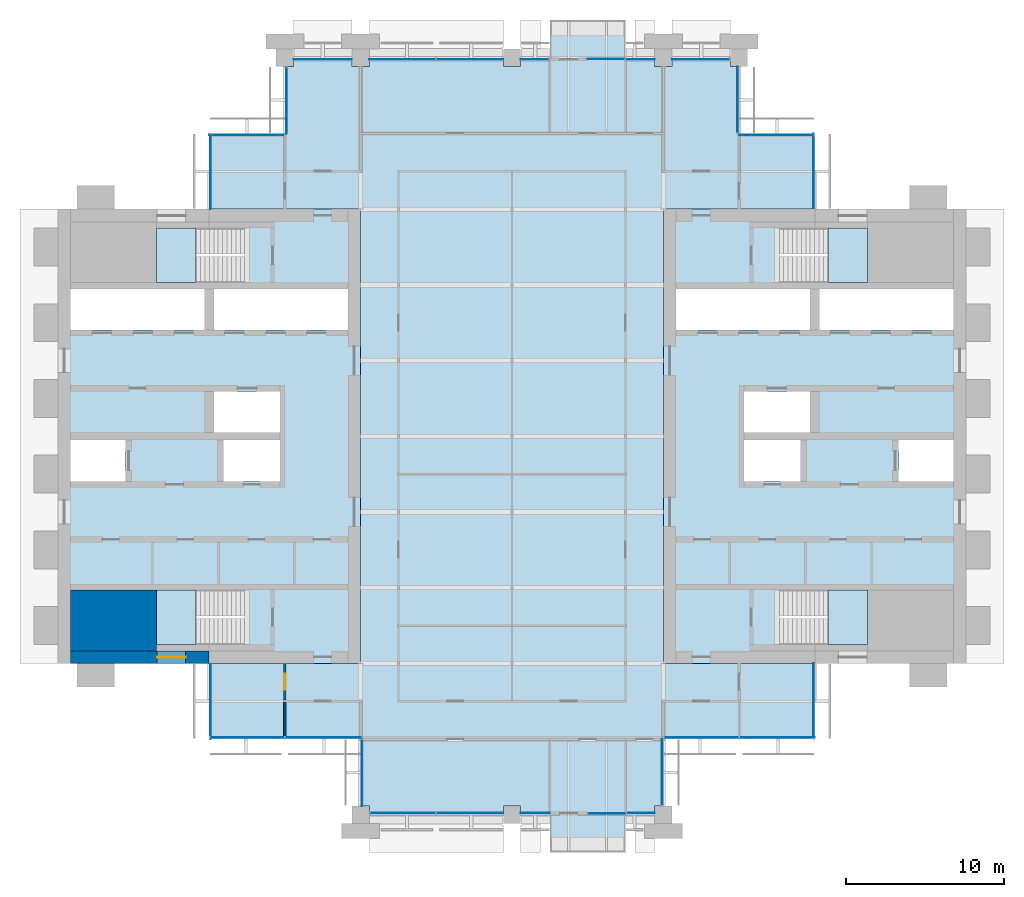
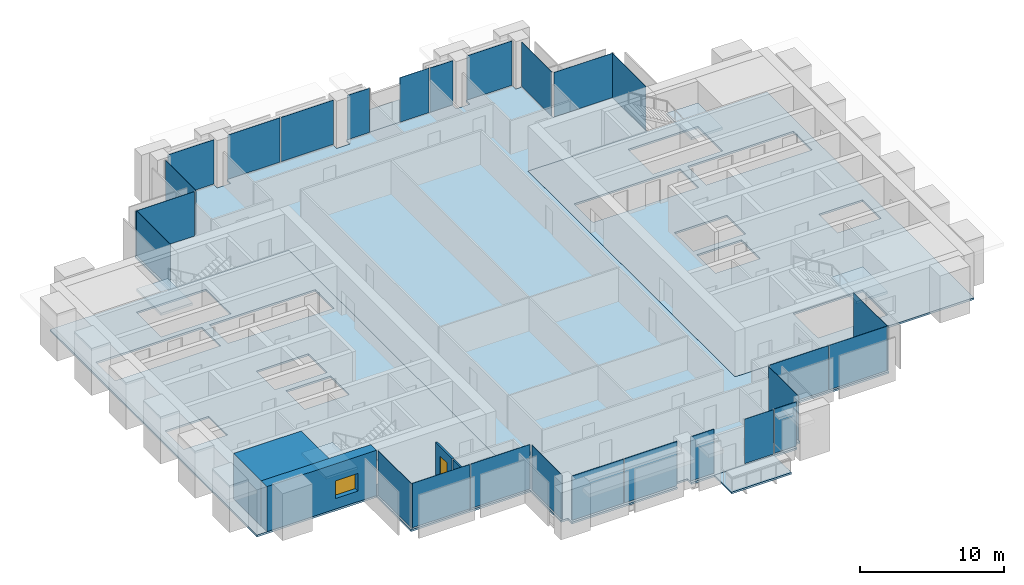
# One storey, part 7 of 14: 26 plates, 9 slabs, 4 walls, 1 door, 1 window, 2 openings, 22 elements without a shape of their own.
"""IFC4 building model written with IfcOpenShell, lengths in metres."""

import ifcopenshell
import ifcopenshell.guid

model = None  # the IFC model being written
_history = None  # IfcOwnerHistory: only IFC2X3 demands one
_inside = {}  # id of a spatial element -> (the spatial element, [elements in it])
_under = {}  # id of a project, library or spatial element -> (it, [spatial elements below it])
_declared = {}  # id of a project -> (the project, [libraries it declares])
_typed = {}  # id of a type object -> (the type object, [elements of that type])
_made_of = {}  # id of a material, layer set ... -> (it, [elements and type objects made of it])


def new_model(schema):
    """Start an empty IFC model of exactly this schema.

    Asked for "IFC4X3", IfcOpenShell would pick the latest addendum, in which some entities
    have other attributes; the version numbers below select the first issue.
    IFC2X3 requires an IfcOwnerHistory on every rooted entity: one is made here for all.
    """
    global model, _history
    if schema == "IFC4X3":
        model = ifcopenshell.file(schema_version=(4, 3, 0, 0))
    else:
        model = ifcopenshell.file(schema=schema)
    _inside.clear()
    _under.clear()
    _declared.clear()
    _typed.clear()
    _made_of.clear()
    _history = None
    if model.schema == "IFC2X3":
        org = make("IfcOrganization", Name="unknown")
        user = make(
            "IfcPersonAndOrganization",
            ThePerson=make("IfcPerson", FamilyName="unknown"),
            TheOrganization=org,
        )
        app = make(
            "IfcApplication",
            ApplicationDeveloper=org,
            Version="unknown",
            ApplicationFullName="unknown",
            ApplicationIdentifier="unknown",
        )
        _history = make(
            "IfcOwnerHistory",
            OwningUser=user,
            OwningApplication=app,
            ChangeAction="ADDED",
            CreationDate=0,
        )
    return model


def make(cls, **values):
    """One entity of the class cls with the attributes given. An attribute that is None is left unset."""
    return model.create_entity(
        cls, **{name: value for name, value in values.items() if value is not None}
    )


def rooted(cls, **values):
    """An entity with a GlobalId (a new one), such as an element, a storey or a relation."""
    return make(cls, GlobalId=ifcopenshell.guid.new(), OwnerHistory=_history, **values)


def si_unit(unit_type, name, prefix=None):
    """IfcSIUnit, for example si_unit("LENGTHUNIT", "METRE", prefix="MILLI")."""
    return make("IfcSIUnit", UnitType=unit_type, Prefix=prefix, Name=name)


def assignment(units):
    """IfcUnitAssignment: the units of a project."""
    return None if units is None else make("IfcUnitAssignment", Units=units)


def point(xyz):
    """IfcCartesianPoint."""
    return None if xyz is None else make("IfcCartesianPoint", Coordinates=xyz)


def direction(xyz):
    """IfcDirection."""
    return None if xyz is None else make("IfcDirection", DirectionRatios=xyz)


def frame(location, z_axis=None, x_axis=None):
    """IfcAxis2Placement3D, a coordinate frame: its origin and axes. An axis left out is left unset."""
    return make(
        "IfcAxis2Placement3D",
        Location=point(location),
        Axis=direction(z_axis),
        RefDirection=direction(x_axis),
    )


def frame_2d(location, x_axis=None):
    """IfcAxis2Placement2D, a coordinate frame in the plane: its origin and x axis."""
    return make(
        "IfcAxis2Placement2D", Location=point(location), RefDirection=direction(x_axis)
    )


def origin():
    """The frame at (0, 0, 0) with its axes left unset."""
    return frame((0.0, 0.0, 0.0))


def origin_2d():
    """The frame at (0, 0) in the plane with its x axis left unset."""
    return frame_2d((0.0, 0.0))


def place(relative_to, where):
    """IfcLocalPlacement: puts the frame where relative to a parent placement (None: the world)."""
    return make(
        "IfcLocalPlacement", PlacementRelTo=relative_to, RelativePlacement=where
    )


def context(
    kind, dimensions, precision=None, world=None, true_north=None, identifier=None
):
    """IfcGeometricRepresentationContext, for example the 3D "Model" context."""
    return make(
        "IfcGeometricRepresentationContext",
        ContextIdentifier=identifier,
        ContextType=kind,
        CoordinateSpaceDimension=dimensions,
        Precision=precision,
        WorldCoordinateSystem=world,
        TrueNorth=true_north,
    )


def subcontext(parent, identifier, kind, view, scale=None):
    """IfcGeometricRepresentationSubContext, for example "Body" below "Model"."""
    return make(
        "IfcGeometricRepresentationSubContext",
        ContextIdentifier=identifier,
        ContextType=kind,
        ParentContext=parent,
        TargetScale=scale,
        TargetView=view,
    )


def project(units=None, contexts=None):
    """IfcProject with its units and contexts."""
    return rooted(
        "IfcProject",
        Name="project",
        RepresentationContexts=contexts,
        UnitsInContext=assignment(units),
    )


def spatial(cls, under=None, at=None, **own):
    """A site, building, storey or space (cls), placed at a placement, below another one or the project."""
    s = rooted(cls, ObjectPlacement=at, **own)
    if under is not None:
        _under.setdefault(under.id(), (under, []))[1].append(s)
    return s


def polyline(points):
    """IfcPolyline through the points."""
    return make("IfcPolyline", Points=[point(p) for p in points])


def profile(cls, at=None, kind="AREA", **sizes):
    """A parametric profile (cls). Its sizes go by their IFC names, for example OverallWidth=200.0."""
    return make(cls, ProfileType=kind, Position=at, **sizes)


def rectangle(**sizes):
    """IfcRectangleProfileDef."""
    return profile("IfcRectangleProfileDef", **sizes)


def outline(outer, holes=None, kind="AREA"):
    """IfcArbitraryClosedProfileDef: a profile drawn as a closed curve; with holes, ...WithVoids."""
    if holes is None:
        return make("IfcArbitraryClosedProfileDef", ProfileType=kind, OuterCurve=outer)
    return make(
        "IfcArbitraryProfileDefWithVoids",
        ProfileType=kind,
        OuterCurve=outer,
        InnerCurves=holes,
    )


def extrude(swept, where, along, depth):
    """IfcExtrudedAreaSolid: the profile swept, set in the frame where, extruded along a direction by depth."""
    return make(
        "IfcExtrudedAreaSolid",
        SweptArea=swept,
        Position=where,
        ExtrudedDirection=direction(along),
        Depth=depth,
    )


def shape(context_of_items, identifier, shape_type, items):
    """IfcShapeRepresentation: the items that make up one representation, for example the "Body"."""
    return make(
        "IfcShapeRepresentation",
        ContextOfItems=context_of_items,
        RepresentationIdentifier=identifier,
        RepresentationType=shape_type,
        Items=items,
    )


def material(Name=None, Category=None):
    """IfcMaterial."""
    return make("IfcMaterial", Name=Name, Category=Category)


def layer(
    of_material, thickness, ventilated=None, Name=None, Category=None, Priority=None
):
    """IfcMaterialLayer: one layer of a wall or slab, of a material (None: an air gap)."""
    return make(
        "IfcMaterialLayer",
        Material=of_material,
        LayerThickness=thickness,
        IsVentilated=ventilated,
        Name=Name,
        Category=Category,
        Priority=Priority,
    )


def layer_set(layers, Name=None):
    """IfcMaterialLayerSet."""
    return make("IfcMaterialLayerSet", MaterialLayers=layers, LayerSetName=Name)


def made_of(thing, what):
    """Note that an element or type object is made of a material, layer set ...; save() writes the relation."""
    if what is not None:
        _made_of.setdefault(what.id(), (what, []))[1].append(thing)
    return thing


def type_object(cls, material=None, **own):
    """A type object (cls), such as IfcWallType, which elements share."""
    return made_of(rooted(cls, **own), material)


def element(
    cls,
    number,
    at=None,
    inside=None,
    cuts=None,
    type_object=None,
    material=None,
    context=None,
    identifier="Body",
    shape_type=None,
    held_by="IfcProductDefinitionShape",
    body=None,
    shapes=None,
    **own,
):
    """One element of the class cls, such as IfcWall. Its Tag is "e" and its number.

    at: its placement. inside: the storey or other place that contains it. cuts: it is an
    opening in that element (IfcRelVoidsElement). A single representation is given by context,
    identifier, shape_type and body (its items); several are given by shapes. held_by: the class
    of the entity that holds the representations. save() writes the other relations.
    """
    e = rooted(cls, Tag="e%d" % number, ObjectPlacement=at, **own)
    if body is not None:
        shapes = [shape(context, identifier, shape_type, body)]
    if shapes is not None:
        e.Representation = make(held_by, Representations=shapes)
    if inside is not None:
        _inside.setdefault(inside.id(), (inside, []))[1].append(e)
    if cuts is not None:
        rooted(
            "IfcRelVoidsElement", RelatingBuildingElement=cuts, RelatedOpeningElement=e
        )
    if type_object is not None:
        _typed.setdefault(type_object.id(), (type_object, []))[1].append(e)
    return made_of(e, material)


def fill(opening, filler):
    """IfcRelFillsElement: the door or window that sits in an opening."""
    return rooted(
        "IfcRelFillsElement",
        RelatingOpeningElement=opening,
        RelatedBuildingElement=filler,
    )


def aggregate(whole, parts):
    """IfcRelAggregates: a whole, such as a stair, and the parts it consists of."""
    return rooted("IfcRelAggregates", RelatingObject=whole, RelatedObjects=parts)


def save(model, path):
    """Write the relations noted so far, then the file.

    IfcRelAggregates (storeys below a building ...), IfcRelContainedInSpatialStructure (elements
    in a storey), IfcRelDefinesByType, IfcRelAssociatesMaterial and IfcRelDeclares: one each for
    every whole, place, type object, material and project.
    """
    for whole, parts in _under.values():
        aggregate(whole, parts)
    for where, things in _inside.values():
        rooted(
            "IfcRelContainedInSpatialStructure",
            RelatedElements=things,
            RelatingStructure=where,
        )
    for kind, things in _typed.values():
        rooted("IfcRelDefinesByType", RelatedObjects=things, RelatingType=kind)
    for what, things in _made_of.values():
        rooted("IfcRelAssociatesMaterial", RelatedObjects=things, RelatingMaterial=what)
    for by, libraries in _declared.values():
        rooted("IfcRelDeclares", RelatingContext=by, RelatedDefinitions=libraries)
    model.write(path)


model = new_model("IFC4")

# Units and contexts
model_context = context("Model", 3, precision=1e-05, world=origin(), true_north=direction((0.0, 1.0)))
body_context = subcontext(model_context, "Body", "Model", "MODEL_VIEW")
ifc_project = project(units=[si_unit("LENGTHUNIT", "METRE"), si_unit("AREAUNIT", "SQUARE_METRE"), si_unit("VOLUMEUNIT", "CUBIC_METRE"), si_unit("PLANEANGLEUNIT", "RADIAN"), si_unit("MASSUNIT", "GRAM", prefix="KILO")], contexts=[model_context])

# Site, building, storey
site_placement = place(None, origin())
site = spatial("IfcSite", under=ifc_project, at=site_placement, CompositionType="ELEMENT")
building_placement = place(site_placement, origin())
building = spatial("IfcBuilding", under=site, at=building_placement, Name="Baori Bourse Tower", CompositionType="ELEMENT")
storey_placement = place(building_placement, frame((0.0, 0.0, 197.199951171875)))
storey = spatial("IfcBuildingStorey", under=building, at=storey_placement, Name="L42", CompositionType="ELEMENT", Elevation=197.199951171875)

# Slabs
ifc_material_1 = material(Name="Concrete f'c 40 MPa", Category="concrete")
ifc_layer_1 = layer(ifc_material_1, 0.159912109375)
ifc_layer_set_1 = layer_set([ifc_layer_1], Name="BL2 Balcony slab 160")
slab_type_1 = type_object("IfcSlabType", Name="BL2 Balcony slab 160", PredefinedType="FLOOR", material=ifc_layer_set_1)
slab_1_placement = place(storey_placement, frame((0.0, 0.0, -0.159912109375)))
element("IfcSlab", 1, at=slab_1_placement, inside=storey, type_object=slab_type_1, Name="Balcony slab L42 S", PredefinedType="FLOOR", context=body_context, shape_type="SweptSolid", body=[
    extrude(outline(polyline([(31.199951171875, 0.0), (31.199951171875, -2.39990234375), (36.0, -2.39990234375), (36.0, 0.0), (31.199951171875, 0.0)])), origin(), (0.0, 0.0, 1.0), 0.159912109375),
])
slab_2_placement = place(storey_placement, frame((0.0, 0.0, -0.159912109375)))
element("IfcSlab", 2, at=slab_2_placement, inside=storey, type_object=slab_type_1, Name="Balcony slab L42 N", PredefinedType="FLOOR", context=body_context, shape_type="SweptSolid", body=[
    extrude(outline(polyline([(31.199951171875, 48.0), (36.0, 48.0), (36.0, 50.39990234375), (31.199951171875, 50.39990234375), (31.199951171875, 48.0)])), origin(), (0.0, 0.0, 1.0), 0.159912109375),
])

# Curtain wall, plate
ifc_material_2 = material(Name="Pale anodised aluminium", Category="aluminium")
curtain_wall_type_1 = type_object("IfcCurtainWallType", Name="CW2 Curtain wall", PredefinedType="NOTDEFINED", material=ifc_material_2)
curtain_wall_1_placement = place(storey_placement, origin())
curtain_wall_1 = element("IfcCurtainWall", 3, at=curtain_wall_1_placement, inside=storey, type_object=curtain_wall_type_1, Name="Curtain wall CW2 L42 1", PredefinedType="NOTDEFINED")
ifc_material_3 = material(Name="Clear glass", Category="glass")
ifc_layer_2 = layer(ifc_material_3, 0.030029296875)
ifc_layer_set_2 = layer_set([ifc_layer_2], Name="CW2 Curtain wall panel")
plate_type_1 = type_object("IfcPlateType", Name="CW2 Curtain wall panel", PredefinedType="CURTAIN_PANEL", material=ifc_layer_set_2)
plate_1_placement = place(storey_placement, frame((47.909912109375, 40.827392578125, 0.070068359375), z_axis=(0.0, 0.0, 1.0), x_axis=(0.0, 1.0, 0.0)))
plate_1 = element("IfcPlate", 4, at=plate_1_placement, type_object=plate_type_1, Name="Curtain wall CW2 panel", PredefinedType="CURTAIN_PANEL", context=body_context, shape_type="SweptSolid", body=[
    extrude(rectangle(XDim=4.7451171875, YDim=0.030029296875, at=origin_2d()), origin(), (0.0, 0.0, 1.0), 3.77001953125),
])
aggregate(curtain_wall_1, [plate_1])

curtain_wall_2_placement = place(storey_placement, origin())
curtain_wall_2 = element("IfcCurtainWall", 5, at=curtain_wall_2_placement, inside=storey, type_object=curtain_wall_type_1, Name="Curtain wall CW2 L42 2", PredefinedType="NOTDEFINED")
plate_2_placement = place(storey_placement, frame((45.572509765625, 43.110107421875, 0.070068359375), z_axis=(0.0, 0.0, 1.0), x_axis=(-1.0, 0.0, 0.0)))
plate_2 = element("IfcPlate", 6, at=plate_2_placement, type_object=plate_type_1, Name="Curtain wall CW2 panel", PredefinedType="CURTAIN_PANEL", context=body_context, shape_type="SweptSolid", body=[
    extrude(rectangle(XDim=4.7451171875, YDim=0.030029296875, at=origin_2d()), origin(), (0.0, 0.0, 1.0), 3.77001953125),
])
aggregate(curtain_wall_2, [plate_2])

curtain_wall_3_placement = place(storey_placement, origin())
curtain_wall_3 = element("IfcCurtainWall", 7, at=curtain_wall_3_placement, inside=storey, type_object=curtain_wall_type_1, Name="Curtain wall CW2 L42 3", PredefinedType="NOTDEFINED")
plate_3_placement = place(storey_placement, frame((43.110107421875, 45.3525390625, 0.070068359375), z_axis=(0.0, 0.0, 1.0), x_axis=(0.0, 1.0, 0.0)))
plate_3 = element("IfcPlate", 8, at=plate_3_placement, type_object=plate_type_1, Name="Curtain wall CW2 panel", PredefinedType="CURTAIN_PANEL", context=body_context, shape_type="SweptSolid", body=[
    extrude(rectangle(XDim=4.195068359375, YDim=0.030029296875, at=origin_2d()), origin(), (0.0, 0.0, 1.0), 3.77001953125),
])
aggregate(curtain_wall_3, [plate_3])

curtain_wall_4_placement = place(storey_placement, origin())
curtain_wall_4 = element("IfcCurtainWall", 9, at=curtain_wall_4_placement, inside=storey, type_object=curtain_wall_type_1, Name="Curtain wall CW2 L42 7", PredefinedType="NOTDEFINED")
plate_4_placement = place(storey_placement, frame((14.489990234375, 45.297607421875, 0.070068359375), z_axis=(0.0, 0.0, 1.0), x_axis=(0.0, -1.0, 0.0)))
plate_4 = element("IfcPlate", 10, at=plate_4_placement, type_object=plate_type_1, Name="Curtain wall CW2 panel", PredefinedType="CURTAIN_PANEL", context=body_context, shape_type="SweptSolid", body=[
    extrude(rectangle(XDim=4.195068359375, YDim=0.030029296875, at=origin_2d()), origin(), (0.0, 0.0, 1.0), 3.77001953125),
])
aggregate(curtain_wall_4, [plate_4])

curtain_wall_5_placement = place(storey_placement, origin())
curtain_wall_5 = element("IfcCurtainWall", 11, at=curtain_wall_5_placement, inside=storey, type_object=curtain_wall_type_1, Name="Curtain wall CW2 L42 8", PredefinedType="NOTDEFINED")
plate_5_placement = place(storey_placement, frame((11.972412109375, 43.110107421875, 0.070068359375), z_axis=(0.0, 0.0, 1.0), x_axis=(-1.0, 0.0, 0.0)))
plate_5 = element("IfcPlate", 12, at=plate_5_placement, type_object=plate_type_1, Name="Curtain wall CW2 panel", PredefinedType="CURTAIN_PANEL", context=body_context, shape_type="SweptSolid", body=[
    extrude(rectangle(XDim=4.7451171875, YDim=0.030029296875, at=origin_2d()), origin(), (0.0, 0.0, 1.0), 3.77001953125),
])
aggregate(curtain_wall_5, [plate_5])

curtain_wall_6_placement = place(storey_placement, origin())
curtain_wall_6 = element("IfcCurtainWall", 13, at=curtain_wall_6_placement, inside=storey, type_object=curtain_wall_type_1, Name="Curtain wall CW2 L42 9", PredefinedType="NOTDEFINED")
plate_6_placement = place(storey_placement, frame((9.68994140625, 40.7724609375, 0.070068359375), z_axis=(0.0, 0.0, 1.0), x_axis=(0.0, -1.0, 0.0)))
plate_6 = element("IfcPlate", 14, at=plate_6_placement, type_object=plate_type_1, Name="Curtain wall CW2 panel", PredefinedType="CURTAIN_PANEL", context=body_context, shape_type="SweptSolid", body=[
    extrude(rectangle(XDim=4.7451171875, YDim=0.030029296875, at=origin_2d()), origin(), (0.0, 0.0, 1.0), 3.77001953125),
])
aggregate(curtain_wall_6, [plate_6])

curtain_wall_7_placement = place(storey_placement, origin())
curtain_wall_7 = element("IfcCurtainWall", 15, at=curtain_wall_7_placement, inside=storey, type_object=curtain_wall_type_1, Name="Curtain wall CW2 L42 10", PredefinedType="NOTDEFINED")
plate_7_placement = place(storey_placement, frame((9.68994140625, 7.172607421875, 0.070068359375), z_axis=(0.0, 0.0, 1.0), x_axis=(0.0, -1.0, 0.0)))
plate_7 = element("IfcPlate", 16, at=plate_7_placement, type_object=plate_type_1, Name="Curtain wall CW2 panel", PredefinedType="CURTAIN_PANEL", context=body_context, shape_type="SweptSolid", body=[
    extrude(rectangle(XDim=4.7451171875, YDim=0.030029296875, at=origin_2d()), origin(), (0.0, 0.0, 1.0), 3.77001953125),
])
aggregate(curtain_wall_7, [plate_7])

# Curtain wall, plates
curtain_wall_8_placement = place(storey_placement, origin())
curtain_wall_8 = element("IfcCurtainWall", 17, at=curtain_wall_8_placement, inside=storey, type_object=curtain_wall_type_1, Name="Curtain wall CW2 L42 11", PredefinedType="NOTDEFINED")
plate_8_placement = place(storey_placement, frame((12.013671875, 4.889892578125, 0.070068359375), z_axis=(0.0, 0.0, 1.0), x_axis=(1.0, 0.0, 0.0)))
plate_8 = element("IfcPlate", 18, at=plate_8_placement, type_object=plate_type_1, Name="Curtain wall CW2 panel", PredefinedType="CURTAIN_PANEL", context=body_context, shape_type="SweptSolid", body=[
    extrude(rectangle(XDim=4.717529296875, YDim=0.030029296875, at=origin_2d()), origin(), (0.0, 0.0, 1.0), 3.77001953125),
])
plate_9_placement = place(storey_placement, frame((16.813720703125, 4.889892578125, 0.070068359375), z_axis=(0.0, 0.0, 1.0), x_axis=(1.0, 0.0, 0.0)))
plate_9 = element("IfcPlate", 19, at=plate_9_placement, type_object=plate_type_1, Name="Curtain wall CW2 panel", PredefinedType="CURTAIN_PANEL", context=body_context, shape_type="SweptSolid", body=[
    extrude(rectangle(XDim=4.7724609375, YDim=0.030029296875, at=origin_2d()), origin(), (0.0, 0.0, 1.0), 3.77001953125),
])
aggregate(curtain_wall_8, [plate_8, plate_9])

# Curtain wall, plate
curtain_wall_9_placement = place(storey_placement, origin())
curtain_wall_9 = element("IfcCurtainWall", 20, at=curtain_wall_9_placement, inside=storey, type_object=curtain_wall_type_1, Name="Curtain wall CW2 L42 12", PredefinedType="NOTDEFINED")
plate_10_placement = place(storey_placement, frame((19.2900390625, 2.6474609375, 0.070068359375), z_axis=(0.0, 0.0, 1.0), x_axis=(0.0, -1.0, 0.0)))
plate_10 = element("IfcPlate", 21, at=plate_10_placement, type_object=plate_type_1, Name="Curtain wall CW2 panel", PredefinedType="CURTAIN_PANEL", context=body_context, shape_type="SweptSolid", body=[
    extrude(rectangle(XDim=4.195068359375, YDim=0.030029296875, at=origin_2d()), origin(), (0.0, 0.0, 1.0), 3.77001953125),
])
aggregate(curtain_wall_9, [plate_10])

curtain_wall_10_placement = place(storey_placement, origin())
curtain_wall_10 = element("IfcCurtainWall", 22, at=curtain_wall_10_placement, inside=storey, type_object=curtain_wall_type_1, Name="Curtain wall CW2 L42 16", PredefinedType="NOTDEFINED")
plate_11_placement = place(storey_placement, frame((38.31005859375, 2.702392578125, 0.070068359375), z_axis=(0.0, 0.0, 1.0), x_axis=(0.0, 1.0, 0.0)))
plate_11 = element("IfcPlate", 23, at=plate_11_placement, type_object=plate_type_1, Name="Curtain wall CW2 panel", PredefinedType="CURTAIN_PANEL", context=body_context, shape_type="SweptSolid", body=[
    extrude(rectangle(XDim=4.195068359375, YDim=0.030029296875, at=origin_2d()), origin(), (0.0, 0.0, 1.0), 3.77001953125),
])
aggregate(curtain_wall_10, [plate_11])

# Curtain wall, plates
curtain_wall_11_placement = place(storey_placement, origin())
curtain_wall_11 = element("IfcCurtainWall", 24, at=curtain_wall_11_placement, inside=storey, type_object=curtain_wall_type_1, Name="Curtain wall CW2 L42 17", PredefinedType="NOTDEFINED")
plate_12_placement = place(storey_placement, frame((40.813720703125, 4.889892578125, 0.070068359375), z_axis=(0.0, 0.0, 1.0), x_axis=(1.0, 0.0, 0.0)))
plate_12 = element("IfcPlate", 25, at=plate_12_placement, type_object=plate_type_1, Name="Curtain wall CW2 panel", PredefinedType="CURTAIN_PANEL", context=body_context, shape_type="SweptSolid", body=[
    extrude(rectangle(XDim=4.717529296875, YDim=0.030029296875, at=origin_2d()), origin(), (0.0, 0.0, 1.0), 3.77001953125),
])
plate_13_placement = place(storey_placement, frame((45.61376953125, 4.889892578125, 0.070068359375), z_axis=(0.0, 0.0, 1.0), x_axis=(1.0, 0.0, 0.0)))
plate_13 = element("IfcPlate", 26, at=plate_13_placement, type_object=plate_type_1, Name="Curtain wall CW2 panel", PredefinedType="CURTAIN_PANEL", context=body_context, shape_type="SweptSolid", body=[
    extrude(rectangle(XDim=4.7724609375, YDim=0.030029296875, at=origin_2d()), origin(), (0.0, 0.0, 1.0), 3.77001953125),
])
aggregate(curtain_wall_11, [plate_12, plate_13])

# Curtain wall, plate
curtain_wall_12_placement = place(storey_placement, origin())
curtain_wall_12 = element("IfcCurtainWall", 27, at=curtain_wall_12_placement, inside=storey, type_object=curtain_wall_type_1, Name="Curtain wall CW2 L42 18", PredefinedType="NOTDEFINED")
plate_14_placement = place(storey_placement, frame((47.909912109375, 7.2275390625, 0.070068359375), z_axis=(0.0, 0.0, 1.0), x_axis=(0.0, 1.0, 0.0)))
plate_14 = element("IfcPlate", 28, at=plate_14_placement, type_object=plate_type_1, Name="Curtain wall CW2 panel", PredefinedType="CURTAIN_PANEL", context=body_context, shape_type="SweptSolid", body=[
    extrude(rectangle(XDim=4.7451171875, YDim=0.030029296875, at=origin_2d()), origin(), (0.0, 0.0, 1.0), 3.77001953125),
])
aggregate(curtain_wall_12, [plate_14])

# Curtain wall, plates
ifc_material_4 = material(Name="Pale anodised aluminium", Category="aluminium")
curtain_wall_type_2 = type_object("IfcCurtainWallType", Name="CW5 Curtain wall", PredefinedType="NOTDEFINED", material=ifc_material_4)
curtain_wall_13_placement = place(storey_placement, origin())
curtain_wall_13 = element("IfcCurtainWall", 29, at=curtain_wall_13_placement, inside=storey, type_object=curtain_wall_type_2, Name="Curtain wall CW5 L42 4", PredefinedType="NOTDEFINED")
ifc_material_5 = material(Name="Clear glass", Category="glass")
ifc_layer_3 = layer(ifc_material_5, 0.035888671875)
ifc_layer_set_3 = layer_set([ifc_layer_3], Name="CW5 Curtain wall panel")
plate_type_2 = type_object("IfcPlateType", Name="CW5 Curtain wall panel", PredefinedType="CURTAIN_PANEL", material=ifc_layer_set_3)
plate_15_placement = place(storey_placement, frame((40.767578125, 47.889892578125, 0.085205078125), z_axis=(0.0, 0.0, 1.0), x_axis=(-1.0, 0.0, 0.0)))
plate_15 = element("IfcPlate", 30, at=plate_15_placement, type_object=plate_type_2, Name="Curtain wall CW5 panel", PredefinedType="CURTAIN_PANEL", context=body_context, shape_type="SweptSolid", body=[
    extrude(rectangle(XDim=3.635009765625, YDim=0.035888671875, at=origin_2d()), origin(), (0.0, 0.0, 1.0), 3.7548828125),
])
plate_16_placement = place(storey_placement, frame((36.925048828125, 47.889892578125, 0.085205078125), z_axis=(0.0, 0.0, 1.0), x_axis=(-1.0, 0.0, 0.0)))
plate_16 = element("IfcPlate", 31, at=plate_16_placement, type_object=plate_type_2, Name="Curtain wall CW5 panel", PredefinedType="CURTAIN_PANEL", context=body_context, shape_type="SweptSolid", body=[
    extrude(rectangle(XDim=1.85009765625, YDim=0.035888671875, at=origin_2d()), origin(), (0.0, 0.0, 1.0), 3.7548828125),
])
aggregate(curtain_wall_13, [plate_15, plate_16])

curtain_wall_14_placement = place(storey_placement, origin())
curtain_wall_14 = element("IfcCurtainWall", 32, at=curtain_wall_14_placement, inside=storey, type_object=curtain_wall_type_2, Name="Curtain wall CW5 L42 6", PredefinedType="NOTDEFINED")
plate_17_placement = place(storey_placement, frame((30.242431640625, 47.889892578125, 0.085205078125), z_axis=(0.0, 0.0, 1.0), x_axis=(-1.0, 0.0, 0.0)))
plate_17 = element("IfcPlate", 33, at=plate_17_placement, type_object=plate_type_2, Name="Curtain wall CW5 panel", PredefinedType="CURTAIN_PANEL", context=body_context, shape_type="SweptSolid", body=[
    extrude(rectangle(XDim=1.784912109375, YDim=0.035888671875, at=origin_2d()), origin(), (0.0, 0.0, 1.0), 3.7548828125),
])
plate_18_placement = place(storey_placement, frame((26.141357421875, 47.889892578125, 0.085205078125), z_axis=(0.0, 0.0, 1.0), x_axis=(-1.0, 0.0, 0.0)))
plate_18 = element("IfcPlate", 34, at=plate_18_placement, type_object=plate_type_2, Name="Curtain wall CW5 panel", PredefinedType="CURTAIN_PANEL", context=body_context, shape_type="SweptSolid", body=[
    extrude(rectangle(XDim=4.217529296875, YDim=0.035888671875, at=origin_2d()), origin(), (0.0, 0.0, 1.0), 3.7548828125),
])
plate_19_placement = place(storey_placement, frame((21.858642578125, 47.889892578125, 0.085205078125), z_axis=(0.0, 0.0, 1.0), x_axis=(-1.0, 0.0, 0.0)))
plate_19 = element("IfcPlate", 35, at=plate_19_placement, type_object=plate_type_2, Name="Curtain wall CW5 panel", PredefinedType="CURTAIN_PANEL", context=body_context, shape_type="SweptSolid", body=[
    extrude(rectangle(XDim=4.217529296875, YDim=0.035888671875, at=origin_2d()), origin(), (0.0, 0.0, 1.0), 3.7548828125),
])
plate_20_placement = place(storey_placement, frame((16.800048828125, 47.889892578125, 0.085205078125), z_axis=(0.0, 0.0, 1.0), x_axis=(-1.0, 0.0, 0.0)))
plate_20 = element("IfcPlate", 36, at=plate_20_placement, type_object=plate_type_2, Name="Curtain wall CW5 panel", PredefinedType="CURTAIN_PANEL", context=body_context, shape_type="SweptSolid", body=[
    extrude(rectangle(XDim=3.699951171875, YDim=0.035888671875, at=origin_2d()), origin(), (0.0, 0.0, 1.0), 3.7548828125),
])
aggregate(curtain_wall_14, [plate_17, plate_18, plate_19, plate_20])

curtain_wall_15_placement = place(storey_placement, origin())
curtain_wall_15 = element("IfcCurtainWall", 37, at=curtain_wall_15_placement, inside=storey, type_object=curtain_wall_type_2, Name="Curtain wall CW5 L42 13", PredefinedType="NOTDEFINED")
plate_21_placement = place(storey_placement, frame((21.891357421875, 0.110107421875, 0.085205078125), z_axis=(0.0, 0.0, 1.0), x_axis=(1.0, 0.0, 0.0)))
plate_21 = element("IfcPlate", 38, at=plate_21_placement, type_object=plate_type_2, Name="Curtain wall CW5 panel", PredefinedType="CURTAIN_PANEL", context=body_context, shape_type="SweptSolid", body=[
    extrude(rectangle(XDim=4.152587890625, YDim=0.035888671875, at=origin_2d()), origin(), (0.0, 0.0, 1.0), 3.7548828125),
])
plate_22_placement = place(storey_placement, frame((26.141357421875, 0.110107421875, 0.085205078125), z_axis=(0.0, 0.0, 1.0), x_axis=(1.0, 0.0, 0.0)))
plate_22 = element("IfcPlate", 39, at=plate_22_placement, type_object=plate_type_2, Name="Curtain wall CW5 panel", PredefinedType="CURTAIN_PANEL", context=body_context, shape_type="SweptSolid", body=[
    extrude(rectangle(XDim=4.217529296875, YDim=0.035888671875, at=origin_2d()), origin(), (0.0, 0.0, 1.0), 3.7548828125),
])
plate_23_placement = place(storey_placement, frame((30.27490234375, 0.110107421875, 0.085205078125), z_axis=(0.0, 0.0, 1.0), x_axis=(1.0, 0.0, 0.0)))
plate_23 = element("IfcPlate", 40, at=plate_23_placement, type_object=plate_type_2, Name="Curtain wall CW5 panel", PredefinedType="CURTAIN_PANEL", context=body_context, shape_type="SweptSolid", body=[
    extrude(rectangle(XDim=1.85009765625, YDim=0.035888671875, at=origin_2d()), origin(), (0.0, 0.0, 1.0), 3.7548828125),
])
aggregate(curtain_wall_15, [plate_21, plate_22, plate_23])

# Curtain wall, plate
curtain_wall_16_placement = place(storey_placement, origin())
curtain_wall_16 = element("IfcCurtainWall", 41, at=curtain_wall_16_placement, inside=storey, type_object=curtain_wall_type_2, Name="Curtain wall CW5 L42 15", PredefinedType="NOTDEFINED")
plate_24_placement = place(storey_placement, frame((36.95751953125, 0.110107421875, 0.085205078125), z_axis=(0.0, 0.0, 1.0), x_axis=(1.0, 0.0, 0.0)))
plate_24 = element("IfcPlate", 42, at=plate_24_placement, type_object=plate_type_2, Name="Curtain wall CW5 panel", PredefinedType="CURTAIN_PANEL", context=body_context, shape_type="SweptSolid", body=[
    extrude(rectangle(XDim=1.784912109375, YDim=0.035888671875, at=origin_2d()), origin(), (0.0, 0.0, 1.0), 3.7548828125),
])
aggregate(curtain_wall_16, [plate_24])

ifc_material_6 = material(Name="Pale anodised aluminium", Category="aluminium")
curtain_wall_type_3 = type_object("IfcCurtainWallType", Name="CW6 Curtain wall", PredefinedType="NOTDEFINED", material=ifc_material_6)
curtain_wall_17_placement = place(storey_placement, origin())
curtain_wall_17 = element("IfcCurtainWall", 43, at=curtain_wall_17_placement, inside=storey, type_object=curtain_wall_type_3, Name="Curtain wall CW6 L42 5", PredefinedType="NOTDEFINED")
ifc_material_7 = material(Name="Clear glass", Category="glass")
ifc_layer_4 = layer(ifc_material_7, 0.028076171875)
ifc_layer_set_4 = layer_set([ifc_layer_4], Name="CW6 Curtain wall panel")
plate_type_3 = type_object("IfcPlateType", Name="CW6 Curtain wall panel", PredefinedType="CURTAIN_PANEL", material=ifc_layer_set_4)
plate_25_placement = place(storey_placement, frame((34.77490234375, 47.925048828125, 0.065185546875), z_axis=(0.0, 0.0, 1.0), x_axis=(-1.0, 0.0, 0.0)))
plate_25 = element("IfcPlate", 44, at=plate_25_placement, type_object=plate_type_3, Name="Curtain wall CW6 panel", PredefinedType="CURTAIN_PANEL", context=body_context, shape_type="SweptSolid", body=[
    extrude(rectangle(XDim=2.35009765625, YDim=0.028076171875, at=origin_2d()), origin(), (0.0, 0.0, 1.0), 3.77490234375),
])
aggregate(curtain_wall_17, [plate_25])

curtain_wall_18_placement = place(storey_placement, origin())
curtain_wall_18 = element("IfcCurtainWall", 45, at=curtain_wall_18_placement, inside=storey, type_object=curtain_wall_type_3, Name="Curtain wall CW6 L42 14", PredefinedType="NOTDEFINED")
plate_26_placement = place(storey_placement, frame((34.824951171875, 0.074951171875, 0.065185546875), z_axis=(0.0, 0.0, 1.0), x_axis=(1.0, 0.0, 0.0)))
plate_26 = element("IfcPlate", 46, at=plate_26_placement, type_object=plate_type_3, Name="Curtain wall CW6 panel", PredefinedType="CURTAIN_PANEL", context=body_context, shape_type="SweptSolid", body=[
    extrude(rectangle(XDim=2.35009765625, YDim=0.028076171875, at=origin_2d()), origin(), (0.0, 0.0, 1.0), 3.77490234375),
])
aggregate(curtain_wall_18, [plate_26])

# Slabs
ifc_material_8 = material(Name="Concrete f'c 50 MPa", Category="concrete")
ifc_layer_5 = layer(ifc_material_8, 0.159912109375)
ifc_layer_set_5 = layer_set([ifc_layer_5], Name="Core slab 160")
slab_type_2 = type_object("IfcSlabType", Name="Core slab 160", PredefinedType="FLOOR", material=ifc_layer_set_5)
slab_3_placement = place(storey_placement, frame((0.0, 0.0, -0.159912109375)))
element("IfcSlab", 47, at=slab_3_placement, inside=storey, type_object=slab_type_2, Name="Core floor slab W01", PredefinedType="FLOOR", context=body_context, shape_type="SweptSolid", body=[
    extrude(outline(polyline([(19.199951171875, 38.39990234375), (0.0, 38.39990234375), (0.0, 9.60009765625), (19.199951171875, 9.60009765625), (19.199951171875, 38.39990234375)]), holes=[polyline([(9.89990234375, 33.35009765625), (18.39990234375, 33.35009765625), (18.39990234375, 30.75), (9.89990234375, 30.75), (9.89990234375, 33.35009765625)]), polyline([(10.5, 21.14990234375), (10.5, 23.75), (14.10009765625, 23.75), (14.10009765625, 21.14990234375), (10.5, 21.14990234375)]), polyline([(14.10009765625, 24.25), (9.89990234375, 24.25), (9.89990234375, 26.85009765625), (14.10009765625, 26.85009765625), (14.10009765625, 24.25)]), polyline([(6.25, 14.25), (11.84912109375, 14.25), (11.84912109375, 10.800048828125), (6.25, 10.800048828125), (6.25, 14.25)]), polyline([(11.84912109375, 37.199951171875), (11.84912109375, 33.75), (6.25, 33.75), (6.25, 37.199951171875), (11.84912109375, 37.199951171875)]), polyline([(0.800048828125, 30.75), (0.800048828125, 33.35009765625), (9.300048828125, 33.35009765625), (9.300048828125, 30.75), (0.800048828125, 30.75)]), polyline([(4.300048828125, 23.75), (4.300048828125, 21.14990234375), (0.800048828125, 21.14990234375), (0.800048828125, 23.75), (4.300048828125, 23.75)])]), origin(), (0.0, 0.0, 1.0), 0.159912109375),
])
slab_4_placement = place(storey_placement, frame((0.0, 0.0, -0.159912109375)))
element("IfcSlab", 48, at=slab_4_placement, inside=storey, type_object=slab_type_2, Name="Core floor slab E01", PredefinedType="FLOOR", context=body_context, shape_type="SweptSolid", body=[
    extrude(outline(polyline([(57.60009765625, 9.60009765625), (57.60009765625, 38.39990234375), (38.39990234375, 38.39990234375), (38.39990234375, 9.60009765625), (57.60009765625, 9.60009765625)]), holes=[polyline([(48.300048828125, 33.35009765625), (56.800048828125, 33.35009765625), (56.800048828125, 30.75), (48.300048828125, 30.75), (48.300048828125, 33.35009765625)]), polyline([(56.800048828125, 21.14990234375), (53.300048828125, 21.14990234375), (53.300048828125, 23.75), (56.800048828125, 23.75), (56.800048828125, 21.14990234375)]), polyline([(45.750732421875, 14.25), (51.35009765625, 14.25), (51.35009765625, 10.800048828125), (45.750732421875, 10.800048828125), (45.750732421875, 14.25)]), polyline([(51.35009765625, 37.199951171875), (51.35009765625, 33.75), (45.750732421875, 33.75), (45.750732421875, 37.199951171875), (51.35009765625, 37.199951171875)]), polyline([(43.5, 24.25), (43.5, 26.85009765625), (47.699951171875, 26.85009765625), (47.699951171875, 24.25), (43.5, 24.25)]), polyline([(47.699951171875, 33.35009765625), (47.699951171875, 30.75), (39.199951171875, 30.75), (39.199951171875, 33.35009765625), (47.699951171875, 33.35009765625)]), polyline([(43.5, 23.75), (47.10009765625, 23.75), (47.10009765625, 21.14990234375), (43.5, 21.14990234375), (43.5, 23.75)])]), origin(), (0.0, 0.0, 1.0), 0.159912109375),
])

# Stair, slab
ifc_material_9 = material(Name="Concrete f'c 50 MPa", Category="concrete")
stair_type = type_object("IfcStairType", Name="Core stair", PredefinedType="HALF_TURN_STAIR", material=ifc_material_9)
stair_1_placement = place(storey_placement, origin())
stair_1 = element("IfcStair", 49, at=stair_1_placement, inside=storey, type_object=stair_type, Name="L42 Stair WA", PredefinedType="HALF_TURN_STAIR")
ifc_material_10 = material(Name="Concrete f'c 50 MPa", Category="concrete")
slab_type_3 = type_object("IfcSlabType", Name="Core stair landing", PredefinedType="LANDING", material=ifc_material_10)
slab_5_placement = place(storey_placement, frame((0.0, 0.0, 1.800048828125)))
slab_5 = element("IfcSlab", 50, at=slab_5_placement, type_object=slab_type_3, Name="ST1 landing 1", PredefinedType="LANDING", context=body_context, shape_type="SweptSolid", body=[
    extrude(outline(polyline([(8.77001953125, 14.25), (6.25, 14.25), (6.25, 10.800048828125), (8.77001953125, 10.800048828125), (8.77001953125, 14.25)])), origin(), (0.0, 0.0, 1.0), 0.199951171875),
])
aggregate(stair_1, [slab_5])

stair_2_placement = place(storey_placement, origin())
stair_2 = element("IfcStair", 51, at=stair_2_placement, inside=storey, type_object=stair_type, Name="L42 Stair WB", PredefinedType="HALF_TURN_STAIR")
slab_6_placement = place(storey_placement, frame((0.0, 0.0, 1.800048828125)))
slab_6 = element("IfcSlab", 52, at=slab_6_placement, type_object=slab_type_3, Name="ST2 landing 1", PredefinedType="LANDING", context=body_context, shape_type="SweptSolid", body=[
    extrude(outline(polyline([(8.77001953125, 37.199951171875), (6.25, 37.199951171875), (6.25, 33.75), (8.77001953125, 33.75), (8.77001953125, 37.199951171875)])), origin(), (0.0, 0.0, 1.0), 0.199951171875),
])
aggregate(stair_2, [slab_6])

stair_3_placement = place(storey_placement, origin())
stair_3 = element("IfcStair", 53, at=stair_3_placement, inside=storey, type_object=stair_type, Name="L42 Stair EA", PredefinedType="HALF_TURN_STAIR")
slab_7_placement = place(storey_placement, frame((0.0, 0.0, 1.800048828125)))
slab_7 = element("IfcSlab", 54, at=slab_7_placement, type_object=slab_type_3, Name="ST3 landing 1", PredefinedType="LANDING", context=body_context, shape_type="SweptSolid", body=[
    extrude(outline(polyline([(48.830078125, 10.800048828125), (51.35009765625, 10.800048828125), (51.35009765625, 14.25), (48.830078125, 14.25), (48.830078125, 10.800048828125)])), origin(), (0.0, 0.0, 1.0), 0.199951171875),
])
aggregate(stair_3, [slab_7])

stair_4_placement = place(storey_placement, origin())
stair_4 = element("IfcStair", 55, at=stair_4_placement, inside=storey, type_object=stair_type, Name="L42 Stair EB", PredefinedType="HALF_TURN_STAIR")
slab_8_placement = place(storey_placement, frame((0.0, 0.0, 1.800048828125)))
slab_8 = element("IfcSlab", 56, at=slab_8_placement, type_object=slab_type_3, Name="ST4 landing 1", PredefinedType="LANDING", context=body_context, shape_type="SweptSolid", body=[
    extrude(outline(polyline([(48.830078125, 33.75), (51.35009765625, 33.75), (51.35009765625, 37.199951171875), (48.830078125, 37.199951171875), (48.830078125, 33.75)])), origin(), (0.0, 0.0, 1.0), 0.199951171875),
])
aggregate(stair_4, [slab_8])

# Slab
ifc_material_11 = material(Name="Concrete f'c 40 MPa", Category="concrete")
ifc_layer_6 = layer(ifc_material_11, 0.159912109375)
ifc_layer_set_6 = layer_set([ifc_layer_6], Name="Floor slab 160")
slab_type_4 = type_object("IfcSlabType", Name="Floor slab 160", PredefinedType="FLOOR", material=ifc_layer_set_6)
slab_9_placement = place(storey_placement, frame((0.0, 0.0, -0.159912109375)))
element("IfcSlab", 57, at=slab_9_placement, inside=storey, type_object=slab_type_4, Name="Floor slab L42", PredefinedType="FLOOR", context=body_context, shape_type="SweptSolid", body=[
    extrude(outline(polyline([(19.199951171875, 4.800048828125), (9.60009765625, 4.800048828125), (9.60009765625, 9.60009765625), (19.199951171875, 9.60009765625), (19.199951171875, 38.39990234375), (9.60009765625, 38.39990234375), (9.60009765625, 43.199951171875), (14.39990234375, 43.199951171875), (14.39990234375, 47.449951171875), (14.949951171875, 47.449951171875), (14.949951171875, 48.0), (18.64990234375, 48.0), (18.64990234375, 47.449951171875), (19.75, 47.449951171875), (19.75, 48.0), (28.25, 48.0), (28.25, 47.449951171875), (29.35009765625, 47.449951171875), (29.35009765625, 48.0), (37.85009765625, 48.0), (37.85009765625, 47.449951171875), (38.949951171875, 47.449951171875), (38.949951171875, 48.0), (42.64990234375, 48.0), (42.64990234375, 47.449951171875), (43.199951171875, 47.449951171875), (43.199951171875, 43.199951171875), (48.0, 43.199951171875), (48.0, 38.39990234375), (38.39990234375, 38.39990234375), (38.39990234375, 9.60009765625), (48.0, 9.60009765625), (48.0, 4.800048828125), (38.39990234375, 4.800048828125), (38.39990234375, 0.550048828125), (37.85009765625, 0.550048828125), (37.85009765625, 0.0), (29.35009765625, 0.0), (29.35009765625, 0.550048828125), (28.25, 0.550048828125), (28.25, 0.0), (19.75, 0.0), (19.75, 0.550048828125), (19.199951171875, 0.550048828125), (19.199951171875, 4.800048828125)])), origin(), (0.0, 0.0, 1.0), 0.159912109375),
])

# Wall
ifc_material_12 = material(Name="Concrete f'c 50 MPa", Category="concrete")
wall_type_1 = type_object("IfcWallType", Name="Core corner block f'c 50", PredefinedType="SHEAR", material=ifc_material_12)
wall_1_placement = place(storey_placement, frame((0.800048828125, 12.324951171875, 0.0), z_axis=(0.0, 0.0, 1.0), x_axis=(1.0, 0.0, 0.0)))
element("IfcWall", 58, at=wall_1_placement, inside=storey, type_object=wall_type_1, Name="Core wall W05", PredefinedType="SHEAR", context=body_context, shape_type="SweptSolid", body=[
    extrude(rectangle(XDim=5.449951171875, YDim=3.85009765625, at=frame_2d((2.72509765625, 0.0))), origin(), (0.0, 0.0, 1.0), 3.840087890625),
])

# Wall, opening, window
ifc_material_13 = material(Name="Concrete f'c 50 MPa", Category="concrete")
ifc_layer_7 = layer(ifc_material_13, 0.800048828125)
ifc_layer_set_7 = layer_set([ifc_layer_7], Name="Core wall 800 f'c 50")
wall_type_2 = type_object("IfcWallType", Name="Core wall 800 f'c 50", PredefinedType="SHEAR", material=ifc_layer_set_7)
wall_2_placement = place(storey_placement, frame((9.60009765625, 10.0, 0.0), z_axis=(0.0, 0.0, 1.0), x_axis=(-1.0, 0.0, 0.0)))
wall_2 = element("IfcWall", 59, at=wall_2_placement, inside=storey, type_object=wall_type_2, Name="Core wall W02", PredefinedType="SHEAR", context=body_context, shape_type="SweptSolid", body=[
    extrude(rectangle(XDim=8.800048828125, YDim=0.800048828125, at=frame_2d((4.39990234375, 0.0))), origin(), (0.0, 0.0, 1.0), 3.840087890625),
])
opening_1_placement = place(wall_2_placement, frame((1.5, 0.0, 0.89990234375)))
opening_1 = element("IfcOpeningElement", 60, at=opening_1_placement, cuts=wall_2, Name="Opening L42-KW103", PredefinedType="OPENING", context=body_context, shape_type="SweptSolid", body=[
    extrude(rectangle(XDim=1.800048828125, YDim=1.5, at=frame_2d((0.89990234375, 0.75))), frame((0.0, 0.409912109375, 0.0), z_axis=(0.0, -1.0, 0.0), x_axis=(1.0, 0.0, 0.0)), (0.0, 0.0, 1.0), 0.820068359375),
])
ifc_material_14 = material(Name="Pale anodised aluminium", Category="aluminium")
window_type = type_object("IfcWindowType", Name="Stair window 1800 x 1500", PartitioningType="SINGLE_PANEL", PredefinedType="WINDOW", material=ifc_material_14)
window_placement = place(opening_1_placement, origin())
window = element("IfcWindow", 61, at=window_placement, inside=storey, type_object=window_type, Name="Stair window W L42 3", OverallHeight=1.5, OverallWidth=1.800048828125, PartitioningType="SINGLE_PANEL", PredefinedType="WINDOW", context=body_context, shape_type="SweptSolid", body=[
    extrude(rectangle(XDim=1.800048828125, YDim=1.5, at=frame_2d((0.89990234375, 0.75))), frame((0.0, 0.030029296875, 0.0), z_axis=(0.0, -1.0, 0.0), x_axis=(1.0, 0.0, 0.0)), (0.0, 0.0, 1.0), 0.06005859375),
])
fill(opening_1, window)

# Wall, opening, door
ifc_material_15 = material(Name="Gypsum board partition")
ifc_layer_8 = layer(ifc_material_15, 0.14990234375)
ifc_layer_set_8 = layer_set([ifc_layer_8], Name="Corridor partition 150")
wall_type_3 = type_object("IfcWallType", Name="Corridor partition 150", PredefinedType="PARTITIONING", material=ifc_layer_set_8)
wall_3_placement = place(storey_placement, frame((14.39990234375, 7.27490234375, 0.0), z_axis=(0.0, 0.0, 1.0), x_axis=(0.0, 1.0, 0.0)))
wall_3 = element("IfcWall", 62, at=wall_3_placement, inside=storey, type_object=wall_type_3, Name="Partition", PredefinedType="PARTITIONING", context=body_context, shape_type="SweptSolid", body=[
    extrude(rectangle(XDim=2.3251953125, YDim=0.14990234375, at=frame_2d((1.16259765625, 0.0))), origin(), (0.0, 0.0, 1.0), 2.869873046875),
])
opening_2_placement = place(wall_3_placement, frame((0.66259765625, 0.0, 0.0)))
opening_2 = element("IfcOpeningElement", 63, at=opening_2_placement, cuts=wall_3, Name="Opening L42-D13", PredefinedType="OPENING", context=body_context, shape_type="SweptSolid", body=[
    extrude(rectangle(XDim=1.0, YDim=2.10009765625, at=frame_2d((0.5, 1.050048828125))), frame((0.0, 0.0849609375, 0.0), z_axis=(0.0, -1.0, 0.0), x_axis=(1.0, 0.0, 0.0)), (0.0, 0.0, 1.0), 0.169921875),
])
ifc_material_16 = material(Name="Timber door leaf", Category="wood")
door_type = type_object("IfcDoorType", Name="Door 1000 x 2100", OperationType="SINGLE_SWING_LEFT", PredefinedType="DOOR", material=ifc_material_16)
door_placement = place(opening_2_placement, origin())
door = element("IfcDoor", 64, at=door_placement, inside=storey, type_object=door_type, Name="Door", OperationType="SINGLE_SWING_RIGHT", OverallHeight=2.10009765625, OverallWidth=1.0, PredefinedType="DOOR", context=body_context, shape_type="SweptSolid", body=[
    extrude(rectangle(XDim=1.0, YDim=2.10009765625, at=frame_2d((0.5, 1.050048828125))), frame((0.0, 0.02490234375, 0.0), z_axis=(0.0, -1.0, 0.0), x_axis=(1.0, 0.0, 0.0)), (0.0, 0.0, 1.0), 0.050048828125),
])
fill(opening_2, door)

# Wall
ifc_material_17 = material(Name="Gypsum board partition")
ifc_layer_9 = layer(ifc_material_17, 0.125)
ifc_layer_set_9 = layer_set([ifc_layer_9], Name="Partition 125")
wall_type_4 = type_object("IfcWallType", Name="Partition 125", PredefinedType="PARTITIONING", material=ifc_layer_set_9)
wall_4_placement = place(storey_placement, frame((14.39990234375, 4.89990234375, 0.0), z_axis=(0.0, 0.0, 1.0), x_axis=(0.0, 1.0, 0.0)))
element("IfcWall", 65, at=wall_4_placement, inside=storey, type_object=wall_type_4, Name="Partition", PredefinedType="PARTITIONING", context=body_context, shape_type="SweptSolid", body=[
    extrude(rectangle(XDim=2.22509765625, YDim=0.125, at=frame_2d((1.112548828125, 0.0))), origin(), (0.0, 0.0, 1.0), 2.869873046875),
])

save(model, "model.ifc")
